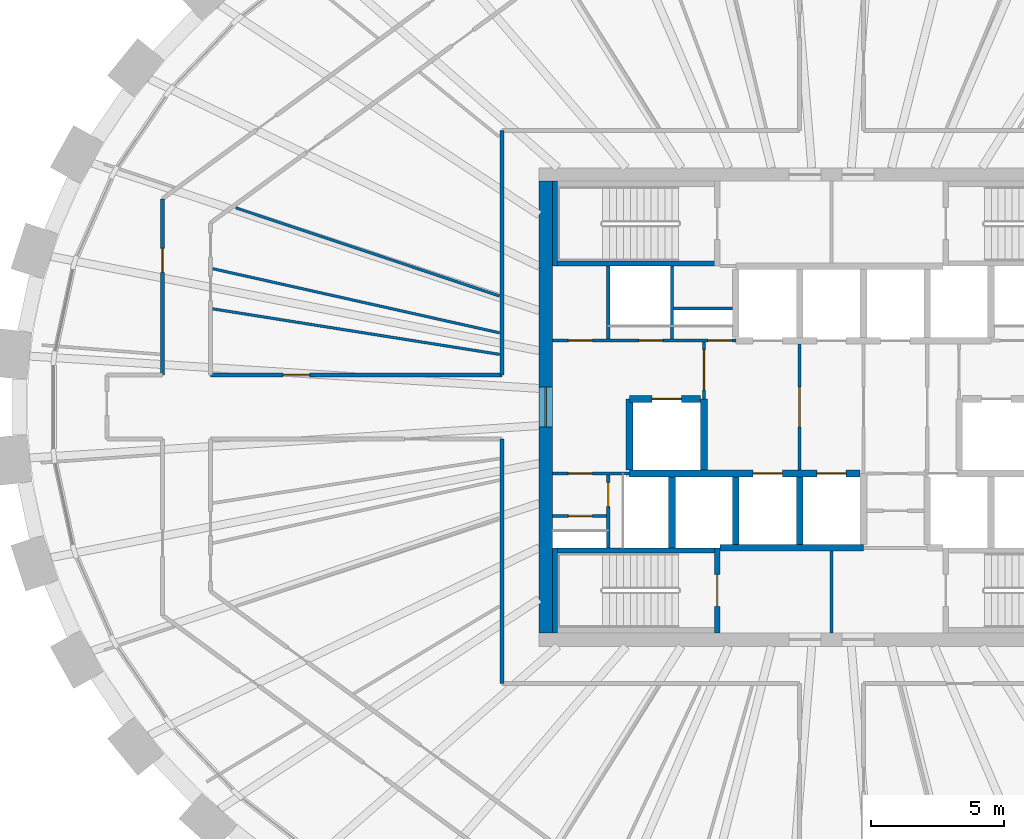
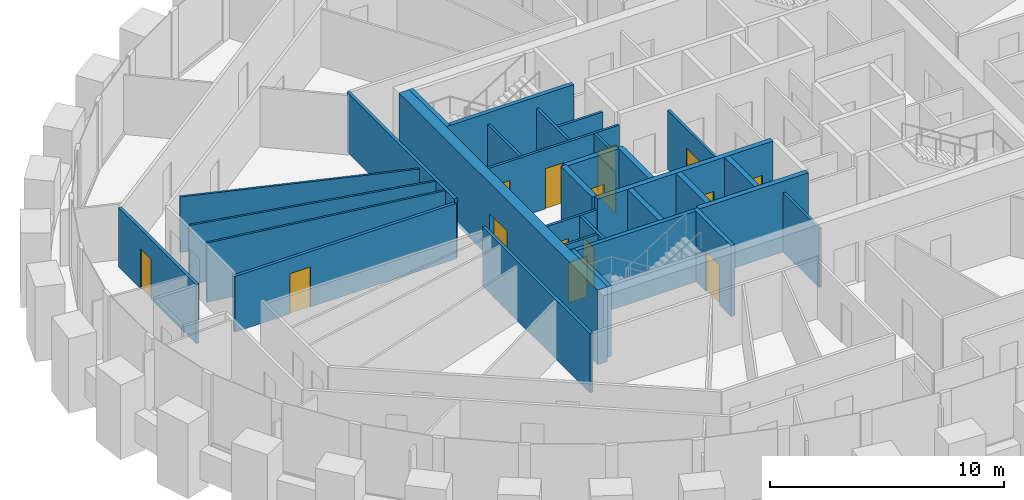
# One storey, part 7 of 12: 31 walls, 15 doors, 15 openings.
"""IFC4 building model written with IfcOpenShell, lengths in metres."""

from ifc_helpers import new_model, si_unit, direction, frame, frame_2d, origin, place, context, subcontext, project, spatial, rectangle, extrude, source, transform, mapped, material, layer, layer_set, type_object, element, fill, save


model = new_model("IFC4")

# Units and contexts
model_context = context("Model", 3, precision=1e-05, world=origin(), true_north=direction((0.0, 1.0)))
body_context = subcontext(model_context, "Body", "Model", "MODEL_VIEW")
ifc_project = project(units=[si_unit("LENGTHUNIT", "METRE"), si_unit("AREAUNIT", "SQUARE_METRE"), si_unit("VOLUMEUNIT", "CUBIC_METRE"), si_unit("PLANEANGLEUNIT", "RADIAN"), si_unit("MASSUNIT", "GRAM", prefix="KILO")], contexts=[model_context])

# Site, building, storey
site_placement = place(None, origin())
site = spatial("IfcSite", under=ifc_project, at=site_placement, CompositionType="ELEMENT")
building_placement = place(site_placement, origin())
building = spatial("IfcBuilding", under=site, at=building_placement, Name="Embergate Tower", CompositionType="ELEMENT")
storey_placement = place(building_placement, frame((0.0, 0.0, 301.300048828125)))
storey = spatial("IfcBuildingStorey", under=building, at=storey_placement, Name="L70", CompositionType="ELEMENT", Elevation=301.300048828125)

# Wall, opening, door
ifc_material_1 = material(Name="Concrete C50", Category="concrete")
ifc_layer_1 = layer(ifc_material_1, 0.5)
ifc_layer_set_1 = layer_set([ifc_layer_1], Name="Concrete C50")
wall_type_1 = type_object("IfcWallType", Name="Core outer wall C50 500", PredefinedType="SHEAR", material=ifc_layer_set_1)
shared_shape_1 = source(origin(), body_context, "Body", "SweptSolid", [
    extrude(rectangle(XDim=17.0, YDim=0.5, at=frame_2d((8.5, 0.0))), origin(), (0.0, 0.0, 1.0), 3.89990234375),
])
wall_1_placement = place(storey_placement, frame((-10.75, -8.5, -0.199951171875), z_axis=(0.0, 0.0, 1.0), x_axis=(0.0, 1.0, 0.0)))
wall_1 = element("IfcWall", 1, at=wall_1_placement, inside=storey, type_object=wall_type_1, Name="CW-L70-W", PredefinedType="SHEAR", context=body_context, shape_type="MappedRepresentation", body=[
    mapped(shared_shape_1, transform((0.0, 0.0, 0.0))),
])
shared_shape_2 = source(origin(), body_context, "Body", "SweptSolid", [
    extrude(rectangle(XDim=1.5, YDim=2.10009765625, at=frame_2d((0.75, 1.050048828125))), frame((0.0, 0.260009765625, 0.0), z_axis=(0.0, -1.0, 0.0), x_axis=(1.0, 0.0, 0.0)), (0.0, 0.0, 1.0), 0.52001953125),
])
opening_1_placement = place(wall_1_placement, frame((7.75, 0.0, 0.199951171875)))
opening_1 = element("IfcOpeningElement", 2, at=opening_1_placement, cuts=wall_1, Name="Opening IF-3", PredefinedType="OPENING", context=body_context, shape_type="MappedRepresentation", body=[
    mapped(shared_shape_2, transform((0.0, 0.0, 0.0))),
])
ifc_material_2 = material(Name="Lobby fire door pair 1500")
door_type_1 = type_object("IfcDoorType", Name="Lobby fire door pair 1500", OperationType="DOUBLE_DOOR_SINGLE_SWING", PredefinedType="DOOR", material=ifc_material_2)
shared_shape_3 = source(origin(), body_context, "Body", "SweptSolid", [
    extrude(rectangle(XDim=1.5, YDim=2.10009765625, at=frame_2d((0.75, 1.050048828125))), frame((0.0, 0.02490234375, 0.0), z_axis=(0.0, -1.0, 0.0), x_axis=(1.0, 0.0, 0.0)), (0.0, 0.0, 1.0), 0.050048828125),
])
door_1_placement = place(opening_1_placement, origin())
door_1 = element("IfcDoor", 3, at=door_1_placement, inside=storey, type_object=door_type_1, Name="IF-3 door", OperationType="DOUBLE_DOOR_SINGLE_SWING", OverallHeight=2.10009765625, OverallWidth=1.5, PredefinedType="DOOR", context=body_context, shape_type="MappedRepresentation", body=[
    mapped(shared_shape_3, transform((0.0, 0.0, 0.0))),
])
fill(opening_1, door_1)

# Walls
ifc_layer_2 = layer(ifc_material_1, 0.25)
ifc_layer_set_2 = layer_set([ifc_layer_2], Name="Concrete C50")
wall_type_2 = type_object("IfcWallType", Name="Hoistway wall reinforced concrete 250", PredefinedType="SHEAR", material=ifc_layer_set_2)
shared_shape_4 = source(origin(), body_context, "Body", "SweptSolid", [
    extrude(rectangle(XDim=2.675048828125, YDim=0.25, at=frame_2d((1.33740234375, 0.0))), origin(), (0.0, 0.0, 1.0), 3.699951171875),
])
for number, where, z_axis, x_axis, name in (
    (4, (-6.0, -5.300048828125, 0.0), (0.0, 0.0, 1.0), (0.0, 1.0, 0.0), "HW-1 wall"),
    (5, (-4.800048828125, 0.300048828125, 0.0), (0.0, 0.0, 1.0), (0.0, -1.0, 0.0), "HW-1 wall"),
):
    element("IfcWall", number, at=place(storey_placement, frame(where, z_axis=z_axis, x_axis=x_axis)), inside=storey, type_object=wall_type_2, Name=name, PredefinedType="SHEAR", context=body_context, shape_type="MappedRepresentation", body=[
        mapped(shared_shape_4, transform((0.0, 0.0, 0.0))),
    ])

# Wall, opening, door
wall_2_placement = place(storey_placement, frame((-4.925048828125, 0.300048828125, 0.0), z_axis=(0.0, 0.0, 1.0), x_axis=(-1.0, 0.0, 0.0)))
wall_2 = element("IfcWall", 6, at=wall_2_placement, inside=storey, type_object=wall_type_2, Name="HW-1 wall", PredefinedType="SHEAR", context=body_context, shape_type="MappedRepresentation", body=[
    mapped(shared_shape_4, transform((0.0, 0.0, 0.0))),
])
shared_shape_5 = source(origin(), body_context, "Body", "SweptSolid", [
    extrude(rectangle(XDim=1.10009765625, YDim=2.10009765625, at=frame_2d((0.550048828125, 1.050048828125))), frame((0.0, 0.135009765625, 0.0), z_axis=(0.0, -1.0, 0.0), x_axis=(1.0, 0.0, 0.0)), (0.0, 0.0, 1.0), 0.27001953125),
])
opening_2_placement = place(wall_2_placement, frame((0.72509765625, 0.0, 0.0)))
opening_2 = element("IfcOpeningElement", 7, at=opening_2_placement, cuts=wall_2, Name="Opening LD", PredefinedType="OPENING", context=body_context, shape_type="MappedRepresentation", body=[
    mapped(shared_shape_5, transform((0.0, 0.0, 0.0))),
])
ifc_material_3 = material(Name="Landing door sliding 1100")
door_type_2 = type_object("IfcDoorType", Name="Landing door sliding 1100", OperationType="SLIDING_TO_LEFT", PredefinedType="DOOR", material=ifc_material_3)
shared_shape_6 = source(origin(), body_context, "Body", "SweptSolid", [
    extrude(rectangle(XDim=1.10009765625, YDim=2.10009765625, at=frame_2d((0.550048828125, 1.050048828125))), frame((0.0, 0.02490234375, 0.0), z_axis=(0.0, -1.0, 0.0), x_axis=(1.0, 0.0, 0.0)), (0.0, 0.0, 1.0), 0.050048828125),
])
door_2_placement = place(opening_2_placement, origin())
door_2 = element("IfcDoor", 8, at=door_2_placement, inside=storey, type_object=door_type_2, Name="LD door", OperationType="SLIDING_TO_LEFT", OverallHeight=2.10009765625, OverallWidth=1.10009765625, PredefinedType="DOOR", context=body_context, shape_type="MappedRepresentation", body=[
    mapped(shared_shape_6, transform((0.0, 0.0, 0.0))),
])
fill(opening_2, door_2)

# Walls
wall_3_placement = place(storey_placement, frame((-7.60009765625, 0.300048828125, 0.0), z_axis=(0.0, 0.0, 1.0), x_axis=(0.0, -1.0, 0.0)))
element("IfcWall", 9, at=wall_3_placement, inside=storey, type_object=wall_type_2, Name="HW-1 wall", PredefinedType="SHEAR", context=body_context, shape_type="MappedRepresentation", body=[
    mapped(shared_shape_4, transform((0.0, 0.0, 0.0))),
])
ifc_layer_3 = layer(ifc_material_1, 0.199951171875)
ifc_layer_set_3 = layer_set([ifc_layer_3], Name="Concrete C50")
wall_type_3 = type_object("IfcWallType", Name="Stair enclosure wall reinforced concrete 250", PredefinedType="SHEAR", material=ifc_layer_set_3)
shared_shape_7 = source(origin(), body_context, "Body", "SweptSolid", [
    extrude(rectangle(XDim=6.300048828125, YDim=0.199951171875, at=frame_2d((3.14990234375, 0.0))), origin(), (0.0, 0.0, 1.0), 3.699951171875),
])
wall_4_placement = place(storey_placement, frame((-10.5, -5.39990234375, 0.0), z_axis=(0.0, 0.0, 1.0), x_axis=(1.0, 0.0, 0.0)))
element("IfcWall", 10, at=wall_4_placement, inside=storey, type_object=wall_type_3, Name="SE-1 wall", PredefinedType="SHEAR", context=body_context, shape_type="MappedRepresentation", body=[
    mapped(shared_shape_7, transform((0.0, 0.0, 0.0))),
])
shared_shape_8 = source(origin(), body_context, "Body", "SweptSolid", [
    extrude(rectangle(XDim=2.550048828125, YDim=0.25, at=frame_2d((1.27490234375, 0.0))), origin(), (0.0, 0.0, 1.0), 3.699951171875),
])
for number, where, z_axis, x_axis, name in (
    (11, (-3.60009765625, -5.175048828125, 0.0), (0.0, 0.0, 1.0), (0.0, 1.0, 0.0), "HW-1 wall"),
    (12, (-1.199951171875, -5.175048828125, 0.0), (0.0, 0.0, 1.0), (0.0, 1.0, 0.0), "HW-1 wall"),
):
    element("IfcWall", number, at=place(storey_placement, frame(where, z_axis=z_axis, x_axis=x_axis)), inside=storey, type_object=wall_type_2, Name=name, PredefinedType="SHEAR", context=body_context, shape_type="MappedRepresentation", body=[
        mapped(shared_shape_8, transform((0.0, 0.0, 0.0))),
    ])

# Wall, opening, door
shared_shape_9 = source(origin(), body_context, "Body", "SweptSolid", [
    extrude(rectangle(XDim=3.199951171875, YDim=0.199951171875, at=frame_2d((1.60009765625, 0.0))), origin(), (0.0, 0.0, 1.0), 3.699951171875),
])
wall_5_placement = place(storey_placement, frame((-4.300048828125, -8.5, 0.0), z_axis=(0.0, 0.0, 1.0), x_axis=(0.0, 1.0, 0.0)))
wall_5 = element("IfcWall", 13, at=wall_5_placement, inside=storey, type_object=wall_type_3, Name="SE-1 wall", PredefinedType="SHEAR", context=body_context, shape_type="MappedRepresentation", body=[
    mapped(shared_shape_9, transform((0.0, 0.0, 0.0))),
])
shared_shape_10 = source(origin(), body_context, "Body", "SweptSolid", [
    extrude(rectangle(XDim=1.199951171875, YDim=2.10009765625, at=frame_2d((0.60009765625, 1.050048828125))), frame((0.0, 0.10986328125, 0.0), z_axis=(0.0, -1.0, 0.0), x_axis=(1.0, 0.0, 0.0)), (0.0, 0.0, 1.0), 0.219970703125),
])
opening_3_placement = place(wall_5_placement, frame((1.0, 0.0, 0.0)))
opening_3 = element("IfcOpeningElement", 14, at=opening_3_placement, cuts=wall_5, Name="Opening IF-2", PredefinedType="OPENING", context=body_context, shape_type="MappedRepresentation", body=[
    mapped(shared_shape_10, transform((0.0, 0.0, 0.0))),
])
ifc_material_4 = material(Name="Stair enclosure door 1200")
door_type_3 = type_object("IfcDoorType", Name="Stair enclosure door 1200", OperationType="SINGLE_SWING_LEFT", PredefinedType="DOOR", material=ifc_material_4)
shared_shape_11 = source(origin(), body_context, "Body", "SweptSolid", [
    extrude(rectangle(XDim=1.199951171875, YDim=2.10009765625, at=frame_2d((0.60009765625, 1.050048828125))), frame((0.0, 0.02490234375, 0.0), z_axis=(0.0, -1.0, 0.0), x_axis=(1.0, 0.0, 0.0)), (0.0, 0.0, 1.0), 0.050048828125),
])
door_3_placement = place(opening_3_placement, origin())
door_3 = element("IfcDoor", 15, at=door_3_placement, inside=storey, type_object=door_type_3, Name="IF-2 door", OperationType="SINGLE_SWING_LEFT", OverallHeight=2.10009765625, OverallWidth=1.199951171875, PredefinedType="DOOR", context=body_context, shape_type="MappedRepresentation", body=[
    mapped(shared_shape_11, transform((0.0, 0.0, 0.0))),
])
fill(opening_3, door_3)

# Wall
ifc_material_5 = material(Name="Core partition blockwork 120")
ifc_layer_4 = layer(ifc_material_5, 0.1201171875)
ifc_layer_set_4 = layer_set([ifc_layer_4], Name="Core partition blockwork 120")
wall_type_4 = type_object("IfcWallType", Name="Core partition blockwork 120", PredefinedType="PARTITIONING", material=ifc_layer_set_4)
shared_shape_12 = source(origin(), body_context, "Body", "SweptSolid", [
    extrude(rectangle(XDim=2.739990234375, YDim=0.1201171875, at=frame_2d((1.3701171875, 0.0))), origin(), (0.0, 0.0, 1.0), 3.099853515625),
])
wall_6_placement = place(storey_placement, frame((-8.39990234375, 5.300048828125, 0.0), z_axis=(0.0, 0.0, 1.0), x_axis=(0.0, -1.0, 0.0)))
element("IfcWall", 16, at=wall_6_placement, inside=storey, type_object=wall_type_4, Name="IP-3 wall", PredefinedType="PARTITIONING", context=body_context, shape_type="MappedRepresentation", body=[
    mapped(shared_shape_12, transform((0.0, 0.0, 0.0))),
])

# Wall, opening, door
wall_7_placement = place(storey_placement, frame((-8.39990234375, -2.56005859375, 0.0), z_axis=(0.0, 0.0, 1.0), x_axis=(0.0, -1.0, 0.0)))
wall_7 = element("IfcWall", 17, at=wall_7_placement, inside=storey, type_object=wall_type_4, Name="IP-3 wall", PredefinedType="PARTITIONING", context=body_context, shape_type="MappedRepresentation", body=[
    mapped(shared_shape_12, transform((0.0, 0.0, 0.0))),
])
shared_shape_13 = source(origin(), body_context, "Body", "SweptSolid", [
    extrude(rectangle(XDim=0.89990234375, YDim=2.10009765625, at=frame_2d((0.449951171875, 1.050048828125))), frame((0.0, 0.070068359375, 0.0), z_axis=(0.0, -1.0, 0.0), x_axis=(1.0, 0.0, 0.0)), (0.0, 0.0, 1.0), 0.14013671875),
])
opening_4_placement = place(wall_7_placement, frame((0.2880859375, 0.0, 0.0)))
opening_4 = element("IfcOpeningElement", 18, at=opening_4_placement, cuts=wall_7, Name="Opening ID-1", PredefinedType="OPENING", context=body_context, shape_type="MappedRepresentation", body=[
    mapped(shared_shape_13, transform((0.0, 0.0, 0.0))),
])
ifc_material_6 = material(Name="Interior door 900")
door_type_4 = type_object("IfcDoorType", Name="Interior door 900", OperationType="SINGLE_SWING_LEFT", PredefinedType="DOOR", material=ifc_material_6)
shared_shape_14 = source(origin(), body_context, "Body", "SweptSolid", [
    extrude(rectangle(XDim=0.89990234375, YDim=2.10009765625, at=frame_2d((0.449951171875, 1.050048828125))), frame((0.0, 0.02490234375, 0.0), z_axis=(0.0, -1.0, 0.0), x_axis=(1.0, 0.0, 0.0)), (0.0, 0.0, 1.0), 0.050048828125),
])
door_4_placement = place(opening_4_placement, origin())
door_4 = element("IfcDoor", 19, at=door_4_placement, inside=storey, type_object=door_type_4, Name="ID-1 door", OperationType="SINGLE_SWING_RIGHT", OverallHeight=2.10009765625, OverallWidth=0.89990234375, PredefinedType="DOOR", context=body_context, shape_type="MappedRepresentation", body=[
    mapped(shared_shape_14, transform((0.0, 0.0, 0.0))),
])
fill(opening_4, door_4)

shared_shape_15 = source(origin(), body_context, "Body", "SweptSolid", [
    extrude(rectangle(XDim=4.75, YDim=0.1201171875, at=frame_2d((2.375, 0.0))), origin(), (0.0, 0.0, 1.0), 3.099853515625),
])
wall_8_placement = place(storey_placement, frame((-1.199951171875, -2.375, 0.0), z_axis=(0.0, 0.0, 1.0), x_axis=(0.0, 1.0, 0.0)))
wall_8 = element("IfcWall", 20, at=wall_8_placement, inside=storey, type_object=wall_type_4, Name="IP-3 wall", PredefinedType="PARTITIONING", context=body_context, shape_type="MappedRepresentation", body=[
    mapped(shared_shape_15, transform((0.0, 0.0, 0.0))),
])
shared_shape_16 = source(origin(), body_context, "Body", "SweptSolid", [
    extrude(rectangle(XDim=1.5, YDim=2.10009765625, at=frame_2d((0.75, 1.050048828125))), frame((0.0, 0.070068359375, 0.0), z_axis=(0.0, -1.0, 0.0), x_axis=(1.0, 0.0, 0.0)), (0.0, 0.0, 1.0), 0.14013671875),
])
opening_5_placement = place(wall_8_placement, frame((1.625, 0.0, 0.0)))
opening_5 = element("IfcOpeningElement", 21, at=opening_5_placement, cuts=wall_8, Name="Opening IF-3", PredefinedType="OPENING", context=body_context, shape_type="MappedRepresentation", body=[
    mapped(shared_shape_16, transform((0.0, 0.0, 0.0))),
])
door_5_placement = place(opening_5_placement, origin())
door_5 = element("IfcDoor", 22, at=door_5_placement, inside=storey, type_object=door_type_1, Name="IF-3 door", OperationType="DOUBLE_DOOR_SINGLE_SWING", OverallHeight=2.10009765625, OverallWidth=1.5, PredefinedType="DOOR", context=body_context, shape_type="MappedRepresentation", body=[
    mapped(shared_shape_3, transform((0.0, 0.0, 0.0))),
])
fill(opening_5, door_5)

# Walls
ifc_material_7 = material(Name="Corridor wall dry-lined 150")
ifc_layer_5 = layer(ifc_material_7, 0.14990234375)
ifc_layer_set_5 = layer_set([ifc_layer_5], Name="Corridor wall dry-lined 150")
wall_type_5 = type_object("IfcWallType", Name="Corridor wall dry-lined 150", PredefinedType="PARTITIONING", material=ifc_layer_set_5)
shared_shape_17 = source(origin(), body_context, "Body", "SweptSolid", [
    extrude(rectangle(XDim=9.199951171875, YDim=0.14990234375, at=frame_2d((4.60009765625, 0.0))), origin(), (0.0, 0.0, 1.0), 3.099853515625),
])
for number, where, z_axis, x_axis, name in (
    (23, (-12.39990234375, -1.199951171875, 0.0), (0.0, 0.0, 1.0), (0.0, -1.0, 0.0), "IP-2 wall"),
    (24, (-12.39990234375, 10.39990234375, 0.0), (0.0, 0.0, 1.0), (0.0, -1.0, 0.0), "IP-2 wall"),
):
    element("IfcWall", number, at=place(storey_placement, frame(where, z_axis=z_axis, x_axis=x_axis)), inside=storey, type_object=wall_type_5, Name=name, PredefinedType="PARTITIONING", context=body_context, shape_type="MappedRepresentation", body=[
        mapped(shared_shape_17, transform((0.0, 0.0, 0.0))),
    ])
shared_shape_18 = source(origin(), body_context, "Body", "SweptSolid", [
    extrude(rectangle(XDim=2.738037109375, YDim=0.1201171875, at=frame_2d((1.369140625, 0.0))), origin(), (0.0, 0.0, 1.0), 3.099853515625),
])
wall_9_placement = place(storey_placement, frame((-6.0, 2.56005859375, 0.0), z_axis=(0.0, 0.0, 1.0), x_axis=(0.0, 1.0, 0.0)))
element("IfcWall", 25, at=wall_9_placement, inside=storey, type_object=wall_type_4, Name="IP-3 wall", PredefinedType="PARTITIONING", context=body_context, shape_type="MappedRepresentation", body=[
    mapped(shared_shape_18, transform((0.0, 0.0, 0.0))),
])

# Wall, opening, door
shared_shape_19 = source(origin(), body_context, "Body", "SweptSolid", [
    extrude(rectangle(XDim=2.89990234375, YDim=0.1201171875, at=frame_2d((1.449951171875, 0.0))), origin(), (0.0, 0.0, 1.0), 3.099853515625),
])
wall_10_placement = place(storey_placement, frame((-7.60009765625, -2.5, 0.0), z_axis=(0.0, 0.0, 1.0), x_axis=(-1.0, 0.0, 0.0)))
wall_10 = element("IfcWall", 26, at=wall_10_placement, inside=storey, type_object=wall_type_4, Name="IP-3 wall", PredefinedType="PARTITIONING", context=body_context, shape_type="MappedRepresentation", body=[
    mapped(shared_shape_19, transform((0.0, 0.0, 0.0))),
])
opening_6_placement = place(wall_10_placement, frame((1.39990234375, 0.0, 0.0)))
opening_6 = element("IfcOpeningElement", 27, at=opening_6_placement, cuts=wall_10, Name="Opening ID-1", PredefinedType="OPENING", context=body_context, shape_type="MappedRepresentation", body=[
    mapped(shared_shape_13, transform((0.0, 0.0, 0.0))),
])
door_6_placement = place(opening_6_placement, origin())
door_6 = element("IfcDoor", 28, at=door_6_placement, inside=storey, type_object=door_type_4, Name="ID-1 door", OperationType="SINGLE_SWING_LEFT", OverallHeight=2.10009765625, OverallWidth=0.89990234375, PredefinedType="DOOR", context=body_context, shape_type="MappedRepresentation", body=[
    mapped(shared_shape_14, transform((0.0, 0.0, 0.0))),
])
fill(opening_6, door_6)

# Wall
shared_shape_20 = source(origin(), body_context, "Body", "SweptSolid", [
    extrude(rectangle(XDim=5.39990234375, YDim=0.25, at=frame_2d((2.699951171875, 0.0))), origin(), (0.0, 0.0, 1.0), 3.699951171875),
])
wall_11_placement = place(storey_placement, frame((-4.199951171875, -5.300048828125, 0.0), z_axis=(0.0, 0.0, 1.0), x_axis=(1.0, 0.0, 0.0)))
element("IfcWall", 29, at=wall_11_placement, inside=storey, type_object=wall_type_2, Name="HW-1 wall", PredefinedType="SHEAR", context=body_context, shape_type="MappedRepresentation", body=[
    mapped(shared_shape_20, transform((0.0, 0.0, 0.0))),
])

# Wall, opening, door
shared_shape_21 = source(origin(), body_context, "Body", "SweptSolid", [
    extrude(rectangle(XDim=2.139892578125, YDim=0.1201171875, at=frame_2d((1.06982421875, 0.0))), origin(), (0.0, 0.0, 1.0), 3.099853515625),
])
wall_12_placement = place(storey_placement, frame((-4.800048828125, 2.43994140625, 0.0), z_axis=(0.0, 0.0, 1.0), x_axis=(0.0, -1.0, 0.0)))
wall_12 = element("IfcWall", 30, at=wall_12_placement, inside=storey, type_object=wall_type_4, Name="IP-3 wall", PredefinedType="PARTITIONING", context=body_context, shape_type="MappedRepresentation", body=[
    mapped(shared_shape_21, transform((0.0, 0.0, 0.0))),
])
opening_7_placement = place(wall_12_placement, frame((0.2900390625, 0.0, 0.0)))
opening_7 = element("IfcOpeningElement", 31, at=opening_7_placement, cuts=wall_12, Name="Opening IF-3", PredefinedType="OPENING", context=body_context, shape_type="MappedRepresentation", body=[
    mapped(shared_shape_16, transform((0.0, 0.0, 0.0))),
])
door_7_placement = place(opening_7_placement, origin())
door_7 = element("IfcDoor", 32, at=door_7_placement, inside=storey, type_object=door_type_1, Name="IF-3 door", OperationType="DOUBLE_DOOR_SINGLE_SWING", OverallHeight=2.10009765625, OverallWidth=1.5, PredefinedType="DOOR", context=body_context, shape_type="MappedRepresentation", body=[
    mapped(shared_shape_3, transform((0.0, 0.0, 0.0))),
])
fill(opening_7, door_7)

# Walls
shared_shape_22 = source(origin(), body_context, "Body", "SweptSolid", [
    extrude(rectangle(XDim=3.074951171875, YDim=0.1201171875, at=frame_2d((1.53759765625, 0.0))), origin(), (0.0, 0.0, 1.0), 3.099853515625),
])
wall_13_placement = place(storey_placement, frame((0.0, -8.5, 0.0), z_axis=(0.0, 0.0, 1.0), x_axis=(0.0, 1.0, 0.0)))
element("IfcWall", 33, at=wall_13_placement, inside=storey, type_object=wall_type_4, Name="IP-3 wall", PredefinedType="PARTITIONING", context=body_context, shape_type="MappedRepresentation", body=[
    mapped(shared_shape_22, transform((0.0, 0.0, 0.0))),
])
shared_shape_23 = source(origin(), body_context, "Body", "SweptSolid", [
    extrude(rectangle(XDim=6.298095703125, YDim=0.199951171875, at=frame_2d((3.14892578125, 0.0))), origin(), (0.0, 0.0, 1.0), 3.699951171875),
])
wall_14_placement = place(storey_placement, frame((-4.201904296875, 5.39990234375, 0.0), z_axis=(0.0, 0.0, 1.0), x_axis=(-1.0, 0.0, 0.0)))
element("IfcWall", 34, at=wall_14_placement, inside=storey, type_object=wall_type_3, Name="SE-1 wall", PredefinedType="SHEAR", context=body_context, shape_type="MappedRepresentation", body=[
    mapped(shared_shape_23, transform((0.0, 0.0, 0.0))),
])
shared_shape_24 = source(origin(), body_context, "Body", "SweptSolid", [
    extrude(rectangle(XDim=3.197998046875, YDim=0.199951171875, at=frame_2d((1.59912109375, 0.0))), origin(), (0.0, 0.0, 1.0), 3.699951171875),
])
for number, where, z_axis, x_axis, name in (
    (35, (-10.39990234375, 8.5, 0.0), (0.0, 0.0, 1.0), (0.0, -1.0, 0.0), "SE-1 wall"),
    (36, (-10.39990234375, -5.302001953125, 0.0), (0.0, 0.0, 1.0), (0.0, -1.0, 0.0), "SE-1 wall"),
):
    element("IfcWall", number, at=place(storey_placement, frame(where, z_axis=z_axis, x_axis=x_axis)), inside=storey, type_object=wall_type_3, Name=name, PredefinedType="SHEAR", context=body_context, shape_type="MappedRepresentation", body=[
        mapped(shared_shape_24, transform((0.0, 0.0, 0.0))),
    ])

# Wall, openings, doors
shared_shape_25 = source(origin(), body_context, "Body", "SweptSolid", [
    extrude(rectangle(XDim=6.89990234375, YDim=0.1201171875, at=frame_2d((3.449951171875, 0.0))), origin(), (0.0, 0.0, 1.0), 3.099853515625),
])
wall_15_placement = place(storey_placement, frame((-10.5, 2.5, 0.0), z_axis=(0.0, 0.0, 1.0), x_axis=(1.0, 0.0, 0.0)))
wall_15 = element("IfcWall", 37, at=wall_15_placement, inside=storey, type_object=wall_type_4, Name="IP-3 wall", PredefinedType="PARTITIONING", context=body_context, shape_type="MappedRepresentation", body=[
    mapped(shared_shape_25, transform((0.0, 0.0, 0.0))),
])
opening_8_placement = place(wall_15_placement, frame((3.25, 0.0, 0.0)))
opening_8 = element("IfcOpeningElement", 38, at=opening_8_placement, cuts=wall_15, Name="Opening ID-1", PredefinedType="OPENING", context=body_context, shape_type="MappedRepresentation", body=[
    mapped(shared_shape_13, transform((0.0, 0.0, 0.0))),
])
opening_9_placement = place(wall_15_placement, frame((5.85009765625, 0.0, 0.0)))
opening_9 = element("IfcOpeningElement", 39, at=opening_9_placement, cuts=wall_15, Name="Opening ID-1", PredefinedType="OPENING", context=body_context, shape_type="MappedRepresentation", body=[
    mapped(shared_shape_13, transform((0.0, 0.0, 0.0))),
])
opening_10_placement = place(wall_15_placement, frame((0.60009765625, 0.0, 0.0)))
opening_10 = element("IfcOpeningElement", 40, at=opening_10_placement, cuts=wall_15, Name="Opening ID-1", PredefinedType="OPENING", context=body_context, shape_type="MappedRepresentation", body=[
    mapped(shared_shape_13, transform((0.0, 0.0, 0.0))),
])
door_8_placement = place(opening_8_placement, origin())
door_8 = element("IfcDoor", 41, at=door_8_placement, inside=storey, type_object=door_type_4, Name="ID-1 door", OperationType="SINGLE_SWING_RIGHT", OverallHeight=2.10009765625, OverallWidth=0.89990234375, PredefinedType="DOOR", context=body_context, shape_type="MappedRepresentation", body=[
    mapped(shared_shape_14, transform((0.0, 0.0, 0.0))),
])
fill(opening_8, door_8)
door_9_placement = place(opening_9_placement, origin())
door_9 = element("IfcDoor", 42, at=door_9_placement, inside=storey, type_object=door_type_4, Name="ID-1 door", OperationType="SINGLE_SWING_RIGHT", OverallHeight=2.10009765625, OverallWidth=0.89990234375, PredefinedType="DOOR", context=body_context, shape_type="MappedRepresentation", body=[
    mapped(shared_shape_14, transform((0.0, 0.0, 0.0))),
])
fill(opening_9, door_9)
door_10_placement = place(opening_10_placement, origin())
door_10 = element("IfcDoor", 43, at=door_10_placement, inside=storey, type_object=door_type_4, Name="ID-1 door", OperationType="SINGLE_SWING_LEFT", OverallHeight=2.10009765625, OverallWidth=0.89990234375, PredefinedType="DOOR", context=body_context, shape_type="MappedRepresentation", body=[
    mapped(shared_shape_14, transform((0.0, 0.0, 0.0))),
])
fill(opening_10, door_10)

# Wall, opening, door
shared_shape_26 = source(origin(), body_context, "Body", "SweptSolid", [
    extrude(rectangle(XDim=2.0400390625, YDim=0.1201171875, at=frame_2d((1.02001953125, 0.0))), origin(), (0.0, 0.0, 1.0), 3.099853515625),
])
wall_16_placement = place(storey_placement, frame((-8.4599609375, -4.095947265625, 0.0), z_axis=(0.0, 0.0, 1.0), x_axis=(-1.0, 0.0, 0.0)))
wall_16 = element("IfcWall", 44, at=wall_16_placement, inside=storey, type_object=wall_type_4, Name="IP-3 wall", PredefinedType="PARTITIONING", context=body_context, shape_type="MappedRepresentation", body=[
    mapped(shared_shape_26, transform((0.0, 0.0, 0.0))),
])
opening_11_placement = place(wall_16_placement, frame((0.5400390625, 0.0, 0.0)))
opening_11 = element("IfcOpeningElement", 45, at=opening_11_placement, cuts=wall_16, Name="Opening ID-1", PredefinedType="OPENING", context=body_context, shape_type="MappedRepresentation", body=[
    mapped(shared_shape_13, transform((0.0, 0.0, 0.0))),
])
door_11_placement = place(opening_11_placement, origin())
door_11 = element("IfcDoor", 46, at=door_11_placement, inside=storey, type_object=door_type_4, Name="ID-1 door", OperationType="SINGLE_SWING_LEFT", OverallHeight=2.10009765625, OverallWidth=0.89990234375, PredefinedType="DOOR", context=body_context, shape_type="MappedRepresentation", body=[
    mapped(shared_shape_14, transform((0.0, 0.0, 0.0))),
])
fill(opening_11, door_11)

# Wall
shared_shape_27 = source(origin(), body_context, "Body", "SweptSolid", [
    extrude(rectangle(XDim=2.2109375, YDim=0.1201171875, at=frame_2d((1.10546875, 0.0))), origin(), (0.0, 0.0, 1.0), 3.099853515625),
])
wall_17_placement = place(storey_placement, frame((-3.72705078125, 3.7041015625, 0.0), z_axis=(0.0, 0.0, 1.0), x_axis=(-1.0, 0.0, 0.0)))
element("IfcWall", 47, at=wall_17_placement, inside=storey, type_object=wall_type_4, Name="IP-3 wall", PredefinedType="PARTITIONING", context=body_context, shape_type="MappedRepresentation", body=[
    mapped(shared_shape_27, transform((0.0, 0.0, 0.0))),
])

# Wall, openings, doors
shared_shape_28 = source(origin(), body_context, "Body", "SweptSolid", [
    extrude(rectangle(XDim=8.675048828125, YDim=0.25, at=frame_2d((4.33740234375, 0.0))), origin(), (0.0, 0.0, 1.0), 3.699951171875),
])
wall_18_placement = place(storey_placement, frame((1.074951171875, -2.5, 0.0), z_axis=(0.0, 0.0, 1.0), x_axis=(-1.0, 0.0, 0.0)))
wall_18 = element("IfcWall", 48, at=wall_18_placement, inside=storey, type_object=wall_type_2, Name="HW-1 wall", PredefinedType="SHEAR", context=body_context, shape_type="MappedRepresentation", body=[
    mapped(shared_shape_28, transform((0.0, 0.0, 0.0))),
])
opening_12_placement = place(wall_18_placement, frame((2.925048828125, 0.0, 0.0)))
opening_12 = element("IfcOpeningElement", 49, at=opening_12_placement, cuts=wall_18, Name="Opening LD", PredefinedType="OPENING", context=body_context, shape_type="MappedRepresentation", body=[
    mapped(shared_shape_5, transform((0.0, 0.0, 0.0))),
])
opening_13_placement = place(wall_18_placement, frame((0.52490234375, 0.0, 0.0)))
opening_13 = element("IfcOpeningElement", 50, at=opening_13_placement, cuts=wall_18, Name="Opening LD", PredefinedType="OPENING", context=body_context, shape_type="MappedRepresentation", body=[
    mapped(shared_shape_5, transform((0.0, 0.0, 0.0))),
])
door_12_placement = place(opening_12_placement, origin())
door_12 = element("IfcDoor", 51, at=door_12_placement, inside=storey, type_object=door_type_2, Name="LD door", OperationType="SLIDING_TO_RIGHT", OverallHeight=2.10009765625, OverallWidth=1.10009765625, PredefinedType="DOOR", context=body_context, shape_type="MappedRepresentation", body=[
    mapped(shared_shape_6, transform((0.0, 0.0, 0.0))),
])
fill(opening_12, door_12)
door_13_placement = place(opening_13_placement, origin())
door_13 = element("IfcDoor", 52, at=door_13_placement, inside=storey, type_object=door_type_2, Name="LD door", OperationType="SLIDING_TO_RIGHT", OverallHeight=2.10009765625, OverallWidth=1.10009765625, PredefinedType="DOOR", context=body_context, shape_type="MappedRepresentation", body=[
    mapped(shared_shape_6, transform((0.0, 0.0, 0.0))),
])
fill(opening_13, door_13)

# Wall
ifc_material_8 = material(Name="Partition dry-lined 100")
ifc_layer_6 = layer(ifc_material_8, 0.10009765625)
ifc_layer_set_6 = layer_set([ifc_layer_6], Name="Partition dry-lined 100")
wall_type_6 = type_object("IfcWallType", Name="Partition dry-lined 100", PredefinedType="PARTITIONING", material=ifc_layer_set_6)
shared_shape_29 = source(origin(), body_context, "Body", "SweptSolid", [
    extrude(rectangle(XDim=10.462158203125, YDim=0.10009765625, at=frame_2d((5.23095703125, 0.0))), origin(), (0.0, 0.0, 1.0), 2.89990234375),
])
wall_19_placement = place(storey_placement, frame((-12.490966796875, 4.176025390625, 0.0), z_axis=(0.0, 0.0, 1.0), x_axis=(-0.948381839058, 0.317130710189, 0.0)))
element("IfcWall", 53, at=wall_19_placement, inside=storey, type_object=wall_type_6, Name="IP-1 wall", PredefinedType="PARTITIONING", context=body_context, shape_type="MappedRepresentation", body=[
    mapped(shared_shape_29, transform((0.0, 0.0, 0.0))),
])

# Wall, opening, door
shared_shape_30 = source(origin(), body_context, "Body", "SweptSolid", [
    extrude(rectangle(XDim=6.634033203125, YDim=0.14990234375, at=frame_2d((3.31689453125, 0.0))), origin(), (0.0, 0.0, 1.0), 3.099853515625),
])
wall_20_placement = place(storey_placement, frame((-25.166015625, 1.199951171875, 0.0), z_axis=(0.0, 0.0, 1.0), x_axis=(0.0, 1.0, 0.0)))
wall_20 = element("IfcWall", 54, at=wall_20_placement, inside=storey, type_object=wall_type_5, Name="IP-2 wall", PredefinedType="PARTITIONING", context=body_context, shape_type="MappedRepresentation", body=[
    mapped(shared_shape_30, transform((0.0, 0.0, 0.0))),
])
shared_shape_31 = source(origin(), body_context, "Body", "SweptSolid", [
    extrude(rectangle(XDim=0.89990234375, YDim=2.10009765625, at=frame_2d((0.449951171875, 1.050048828125))), frame((0.0, 0.0849609375, 0.0), z_axis=(0.0, -1.0, 0.0), x_axis=(1.0, 0.0, 0.0)), (0.0, 0.0, 1.0), 0.169921875),
])
opening_14_placement = place(wall_20_placement, frame((3.864990234375, 0.0, 0.0)))
opening_14 = element("IfcOpeningElement", 55, at=opening_14_placement, cuts=wall_20, Name="Opening IF-1c", PredefinedType="OPENING", context=body_context, shape_type="MappedRepresentation", body=[
    mapped(shared_shape_31, transform((0.0, 0.0, 0.0))),
])
ifc_material_9 = material(Name="Escape fire door 900")
door_type_5 = type_object("IfcDoorType", Name="Escape fire door 900", OperationType="SINGLE_SWING_LEFT", PredefinedType="DOOR", material=ifc_material_9)
door_14_placement = place(opening_14_placement, origin())
door_14 = element("IfcDoor", 56, at=door_14_placement, inside=storey, type_object=door_type_5, Name="IF-1 door", OperationType="SINGLE_SWING_RIGHT", OverallHeight=2.10009765625, OverallWidth=0.89990234375, PredefinedType="DOOR", context=body_context, shape_type="MappedRepresentation", body=[
    mapped(shared_shape_14, transform((0.0, 0.0, 0.0))),
])
fill(opening_14, door_14)

shared_shape_32 = source(origin(), body_context, "Body", "SweptSolid", [
    extrude(rectangle(XDim=10.966064453125, YDim=0.14990234375, at=frame_2d((5.48291015625, 0.0))), origin(), (0.0, 0.0, 1.0), 2.89990234375),
])
wall_21_placement = place(storey_placement, frame((-23.365966796875, 1.199951171875, 0.0), z_axis=(0.0, 0.0, 1.0), x_axis=(1.0, 0.0, 0.0)))
wall_21 = element("IfcWall", 57, at=wall_21_placement, inside=storey, type_object=wall_type_5, Name="IP-2 wall", PredefinedType="PARTITIONING", context=body_context, shape_type="MappedRepresentation", body=[
    mapped(shared_shape_32, transform((0.0, 0.0, 0.0))),
])
shared_shape_33 = source(origin(), body_context, "Body", "SweptSolid", [
    extrude(rectangle(XDim=1.0, YDim=2.10009765625, at=frame_2d((0.5, 1.050048828125))), frame((0.0, 0.0849609375, 0.0), z_axis=(0.0, -1.0, 0.0), x_axis=(1.0, 0.0, 0.0)), (0.0, 0.0, 1.0), 0.169921875),
])
opening_15_placement = place(wall_21_placement, frame((2.734619140625, 0.0, 0.0)))
opening_15 = element("IfcOpeningElement", 58, at=opening_15_placement, cuts=wall_21, Name="Opening ID-2", PredefinedType="OPENING", context=body_context, shape_type="MappedRepresentation", body=[
    mapped(shared_shape_33, transform((0.0, 0.0, 0.0))),
])
ifc_material_10 = material(Name="Interior door 1000")
door_type_6 = type_object("IfcDoorType", Name="Interior door 1000", OperationType="SINGLE_SWING_LEFT", PredefinedType="DOOR", material=ifc_material_10)
shared_shape_34 = source(origin(), body_context, "Body", "SweptSolid", [
    extrude(rectangle(XDim=1.0, YDim=2.10009765625, at=frame_2d((0.5, 1.050048828125))), frame((0.0, 0.02490234375, 0.0), z_axis=(0.0, -1.0, 0.0), x_axis=(1.0, 0.0, 0.0)), (0.0, 0.0, 1.0), 0.050048828125),
])
door_15_placement = place(opening_15_placement, origin())
door_15 = element("IfcDoor", 59, at=door_15_placement, inside=storey, type_object=door_type_6, Name="ID-2 door", OperationType="SINGLE_SWING_RIGHT", OverallHeight=2.10009765625, OverallWidth=1.0, PredefinedType="DOOR", context=body_context, shape_type="MappedRepresentation", body=[
    mapped(shared_shape_34, transform((0.0, 0.0, 0.0))),
])
fill(opening_15, door_15)

# Walls
shared_shape_35 = source(origin(), body_context, "Body", "SweptSolid", [
    extrude(rectangle(XDim=11.060302734375, YDim=0.10009765625, at=frame_2d((5.5302734375, 0.0))), origin(), (0.0, 0.0, 1.0), 3.099853515625),
])
wall_22_placement = place(storey_placement, frame((-12.486083984375, 2.791015625, 0.0), z_axis=(0.0, 0.0, 1.0), x_axis=(-0.97590996107, 0.218173664508, 0.0)))
element("IfcWall", 60, at=wall_22_placement, inside=storey, type_object=wall_type_6, Name="IP-1 wall", PredefinedType="PARTITIONING", context=body_context, shape_type="MappedRepresentation", body=[
    mapped(shared_shape_35, transform((0.0, 0.0, 0.0))),
])
shared_shape_36 = source(origin(), body_context, "Body", "SweptSolid", [
    extrude(rectangle(XDim=10.935302734375, YDim=0.10009765625, at=frame_2d((5.4677734375, 0.0))), origin(), (0.0, 0.0, 1.0), 3.099853515625),
])
wall_23_placement = place(storey_placement, frame((-12.48291015625, 1.97998046875, 0.0), z_axis=(0.0, 0.0, 1.0), x_axis=(-0.987638107159, 0.156751297564, 0.0)))
element("IfcWall", 61, at=wall_23_placement, inside=storey, type_object=wall_type_6, Name="IP-1 wall", PredefinedType="PARTITIONING", context=body_context, shape_type="MappedRepresentation", body=[
    mapped(shared_shape_36, transform((0.0, 0.0, 0.0))),
])

save(model, "model.ifc")
